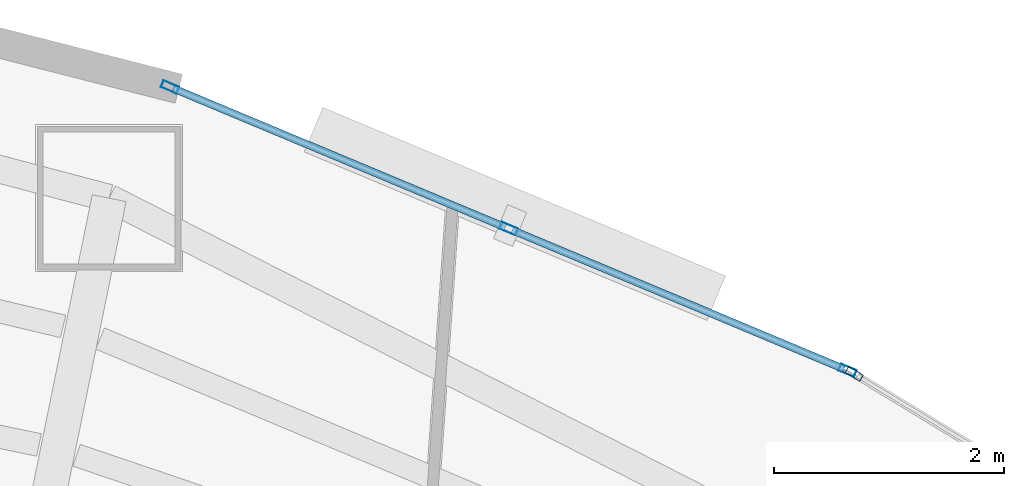
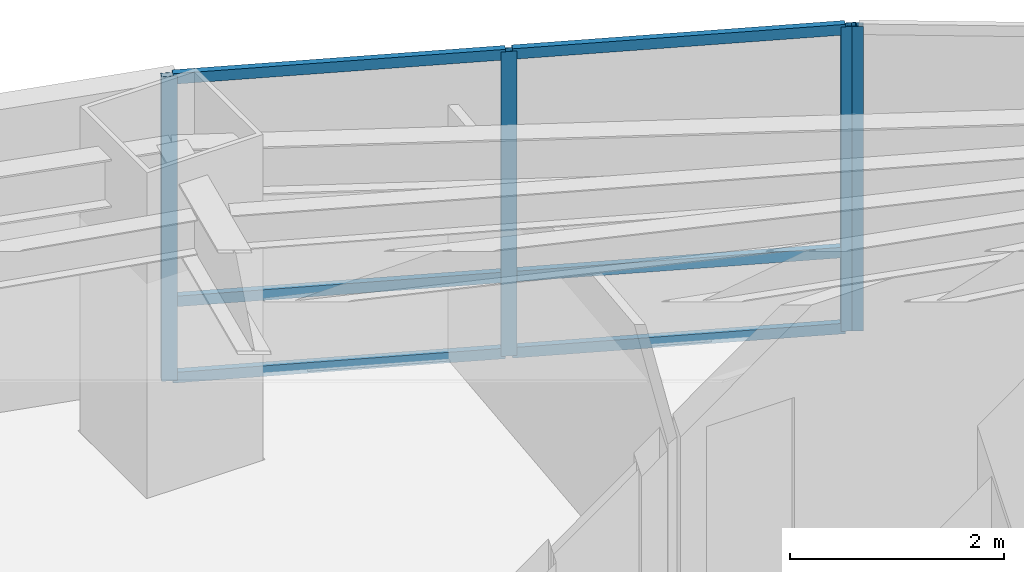
# One storey, part 9 of 19: 10 members, 2 elements without a shape of their own.
"""IFC4 building model written with IfcOpenShell, lengths in metres."""

from ifc_helpers import new_model, si_unit, direction, frame, origin, origin_2d, place, context, subcontext, project, spatial, hollow_rectangle, extrude, material, layer, layer_set, material_profile, profile_set, type_object, element, aggregate, save


model = new_model("IFC4")

# Units and contexts
model_context = context("Model", 3, precision=1e-05, world=origin(), true_north=direction((0.0, 1.0)))
body_context = subcontext(model_context, "Body", "Model", "MODEL_VIEW")
ifc_project = project(units=[si_unit("LENGTHUNIT", "METRE"), si_unit("AREAUNIT", "SQUARE_METRE"), si_unit("VOLUMEUNIT", "CUBIC_METRE"), si_unit("PLANEANGLEUNIT", "RADIAN"), si_unit("MASSUNIT", "GRAM", prefix="KILO")], contexts=[model_context])

# Site, building, storey
site_placement = place(None, origin())
site = spatial("IfcSite", under=ifc_project, at=site_placement, CompositionType="ELEMENT")
building_placement = place(site_placement, origin())
building = spatial("IfcBuilding", under=site, at=building_placement, Name="Menara Vayukalpa", CompositionType="ELEMENT")
storey_placement = place(building_placement, frame((0.0, 0.0, 118.860107421875)))
storey = spatial("IfcBuildingStorey", under=building, at=storey_placement, Name="L29", CompositionType="ELEMENT", Elevation=118.860107421875)

# Curtain wall, member
ifc_material_1 = material(Name="Anodised Terracotta Aluminium Alloy 6063-T6", Category="masonry")
ifc_layer = layer(ifc_material_1, 0.14990234375)
ifc_layer_set = layer_set([ifc_layer], Name="Anodised Terracotta Aluminium Alloy 6063-T6")
curtain_wall_type = type_object("IfcCurtainWallType", Name="CW-CW3", PredefinedType="USERDEFINED", material=ifc_layer_set)
curtain_wall_1_placement = place(storey_placement, origin())
curtain_wall_1 = element("IfcCurtainWall", 1, at=curtain_wall_1_placement, inside=storey, type_object=curtain_wall_type, Name="L29 Mid Rise Terracotta Ribbon Curtain Wall CW3 04", ObjectType="UNITISED", PredefinedType="USERDEFINED")
ifc_material_2 = material(Name="Anodised Terracotta Aluminium Alloy 6063-T6", Category="masonry")
ifc_material_profile_1 = material_profile(ifc_material_2, hollow_rectangle(XDim=0.06494140625, YDim=0.14990234375, WallThickness=0.00341796875, at=origin_2d()), Name="ALU 65x150x3.5")
ifc_profile_set_1 = profile_set([ifc_material_profile_1], Name="Anodised Terracotta Aluminium Alloy 6063-T6")
member_type_1 = type_object("IfcMemberType", Name="CWM-CW3", PredefinedType="MULLION", material=ifc_profile_set_1)
member_1_placement = place(storey_placement, frame((29.8935546875, 31.938232421875, 0.0), z_axis=(0.0, 0.0, 1.0), x_axis=(-0.519182959112, -0.854663123674, 0.0)))
member_1 = element("IfcMember", 2, at=member_1_placement, type_object=member_type_1, Name="CW3 mullion 3", PredefinedType="MULLION", context=body_context, shape_type="SweptSolid", body=[
    extrude(hollow_rectangle(XDim=0.06494140625, YDim=0.14990234375, WallThickness=0.00341796875, at=origin_2d()), origin(), (0.0, 0.0, 1.0), 3.469970703125),
])
aggregate(curtain_wall_1, [member_1])

# Curtain wall, members
curtain_wall_2_placement = place(storey_placement, origin())
curtain_wall_2 = element("IfcCurtainWall", 3, at=curtain_wall_2_placement, inside=storey, type_object=curtain_wall_type, Name="L29 Mid Rise Terracotta Ribbon Curtain Wall CW3 05", ObjectType="UNITISED", PredefinedType="USERDEFINED")
member_2_placement = place(storey_placement, frame((29.8359375, 31.9677734375, 0.0), z_axis=(0.0, 0.0, 1.0), x_axis=(-0.38589358437, -0.922543300632, 0.0)))
member_2 = element("IfcMember", 4, at=member_2_placement, type_object=member_type_1, Name="CW3 mullion 1", PredefinedType="MULLION", context=body_context, shape_type="SweptSolid", body=[
    extrude(hollow_rectangle(XDim=0.06494140625, YDim=0.14990234375, WallThickness=0.00341796875, at=origin_2d()), origin(), (0.0, 0.0, 1.0), 3.469970703125),
])
member_3_placement = place(storey_placement, frame((26.88671875, 33.201416015625, 0.0), z_axis=(0.0, 0.0, 1.0), x_axis=(-0.38589358437, -0.922543300632, 0.0)))
member_3 = element("IfcMember", 5, at=member_3_placement, type_object=member_type_1, Name="CW3 mullion 2", PredefinedType="MULLION", context=body_context, shape_type="SweptSolid", body=[
    extrude(hollow_rectangle(XDim=0.06494140625, YDim=0.14990234375, WallThickness=0.00341796875, at=origin_2d()), origin(), (0.0, 0.0, 1.0), 3.469970703125),
])
member_4_placement = place(storey_placement, frame((23.9375, 34.43505859375, 0.0), z_axis=(0.0, 0.0, 1.0), x_axis=(-0.38589358437, -0.922543300632, 0.0)))
member_4 = element("IfcMember", 6, at=member_4_placement, type_object=member_type_1, Name="CW3 mullion 3", PredefinedType="MULLION", context=body_context, shape_type="SweptSolid", body=[
    extrude(hollow_rectangle(XDim=0.06494140625, YDim=0.14990234375, WallThickness=0.00341796875, at=origin_2d()), origin(), (0.0, 0.0, 1.0), 3.469970703125),
])
ifc_material_3 = material(Name="Anodised Terracotta Aluminium Alloy 6063-T6", Category="masonry")
ifc_material_profile_2 = material_profile(ifc_material_3, hollow_rectangle(XDim=0.06494140625, YDim=0.1201171875, WallThickness=0.00341796875, at=origin_2d()), Name="ALU 65x120x3.5")
ifc_profile_set_2 = profile_set([ifc_material_profile_2], Name="Anodised Terracotta Aluminium Alloy 6063-T6")
member_type_2 = type_object("IfcMemberType", Name="CWT-CW3", PredefinedType="USERDEFINED", material=ifc_profile_set_2)
member_5_placement = place(storey_placement, frame((29.805908203125, 31.980224609375, 0.032470703125), z_axis=(-0.922517812792, 0.385954511673, 0.0), x_axis=(-0.385954511673, -0.922517812792, 0.0)))
member_5 = element("IfcMember", 7, at=member_5_placement, type_object=member_type_2, Name="CW3 transom 1.1", ObjectType="TRANSOM", PredefinedType="USERDEFINED", context=body_context, shape_type="SweptSolid", body=[
    extrude(hollow_rectangle(XDim=0.06494140625, YDim=0.1201171875, WallThickness=0.00341796875, at=origin_2d()), origin(), (0.0, 0.0, 1.0), 3.1318359375),
])
member_6_placement = place(storey_placement, frame((29.805908203125, 31.980224609375, 0.89990234375), z_axis=(-0.922517812792, 0.385954511673, 0.0), x_axis=(-0.385954511673, -0.922517812792, 0.0)))
member_6 = element("IfcMember", 8, at=member_6_placement, type_object=member_type_2, Name="CW3 transom 1.2", ObjectType="TRANSOM", PredefinedType="USERDEFINED", context=body_context, shape_type="SweptSolid", body=[
    extrude(hollow_rectangle(XDim=0.06494140625, YDim=0.1201171875, WallThickness=0.00341796875, at=origin_2d()), origin(), (0.0, 0.0, 1.0), 3.1318359375),
])
member_7_placement = place(storey_placement, frame((29.805908203125, 31.980224609375, 3.4375), z_axis=(-0.922517812792, 0.385954511673, 0.0), x_axis=(-0.385954511673, -0.922517812792, 0.0)))
member_7 = element("IfcMember", 9, at=member_7_placement, type_object=member_type_2, Name="CW3 transom 1.3", ObjectType="TRANSOM", PredefinedType="USERDEFINED", context=body_context, shape_type="SweptSolid", body=[
    extrude(hollow_rectangle(XDim=0.06494140625, YDim=0.1201171875, WallThickness=0.00341796875, at=origin_2d()), origin(), (0.0, 0.0, 1.0), 3.1318359375),
])
member_8_placement = place(storey_placement, frame((26.856689453125, 33.2138671875, 0.032470703125), z_axis=(-0.922529423765, 0.385926757673, 0.0), x_axis=(-0.385926757673, -0.922529423765, 0.0)))
member_8 = element("IfcMember", 10, at=member_8_placement, type_object=member_type_2, Name="CW3 transom 2.1", ObjectType="TRANSOM", PredefinedType="USERDEFINED", context=body_context, shape_type="SweptSolid", body=[
    extrude(hollow_rectangle(XDim=0.06494140625, YDim=0.1201171875, WallThickness=0.00341796875, at=origin_2d()), origin(), (0.0, 0.0, 1.0), 3.132080078125),
])
member_9_placement = place(storey_placement, frame((26.856689453125, 33.2138671875, 0.89990234375), z_axis=(-0.922529423765, 0.385926757673, 0.0), x_axis=(-0.385926757673, -0.922529423765, 0.0)))
member_9 = element("IfcMember", 11, at=member_9_placement, type_object=member_type_2, Name="CW3 transom 2.2", ObjectType="TRANSOM", PredefinedType="USERDEFINED", context=body_context, shape_type="SweptSolid", body=[
    extrude(hollow_rectangle(XDim=0.06494140625, YDim=0.1201171875, WallThickness=0.00341796875, at=origin_2d()), origin(), (0.0, 0.0, 1.0), 3.132080078125),
])
member_10_placement = place(storey_placement, frame((26.856689453125, 33.2138671875, 3.4375), z_axis=(-0.922529423765, 0.385926757673, 0.0), x_axis=(-0.385926757673, -0.922529423765, 0.0)))
member_10 = element("IfcMember", 12, at=member_10_placement, type_object=member_type_2, Name="CW3 transom 2.3", ObjectType="TRANSOM", PredefinedType="USERDEFINED", context=body_context, shape_type="SweptSolid", body=[
    extrude(hollow_rectangle(XDim=0.06494140625, YDim=0.1201171875, WallThickness=0.00341796875, at=origin_2d()), origin(), (0.0, 0.0, 1.0), 3.132080078125),
])
aggregate(curtain_wall_2, [member_2, member_3, member_4, member_5, member_6, member_7, member_8, member_9, member_10])

save(model, "model.ifc")
